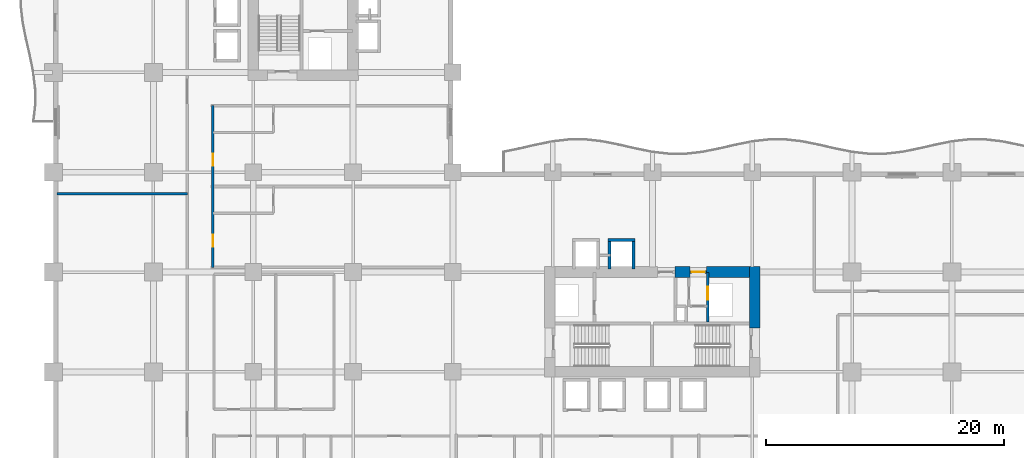
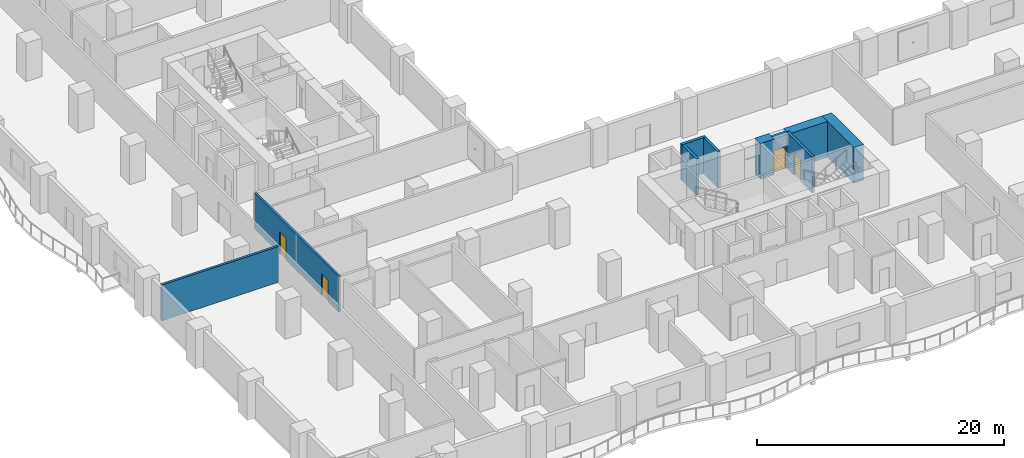
# One storey, part 7 of 20: 10 walls, 4 doors, 4 openings.
"""IFC4 building model written with IfcOpenShell, lengths in metres."""

from ifc_helpers import new_model, si_unit, direction, frame, frame_2d, origin, place, context, subcontext, project, spatial, rectangle, extrude, material, layer, layer_set, type_object, element, fill, save


model = new_model("IFC4")

# Units and contexts
model_context = context("Model", 3, precision=1e-05, world=origin(), true_north=direction((0.0, 1.0)))
body_context = subcontext(model_context, "Body", "Model", "MODEL_VIEW")
ifc_project = project(units=[si_unit("LENGTHUNIT", "METRE"), si_unit("AREAUNIT", "SQUARE_METRE"), si_unit("VOLUMEUNIT", "CUBIC_METRE"), si_unit("PLANEANGLEUNIT", "RADIAN"), si_unit("MASSUNIT", "GRAM", prefix="KILO")], contexts=[model_context])

# Site, building, storey
site_placement = place(None, origin())
site = spatial("IfcSite", under=ifc_project, at=site_placement, CompositionType="ELEMENT")
building_placement = place(site_placement, origin())
building = spatial("IfcBuilding", under=site, at=building_placement, Name="Koriwani Terraces Tower", CompositionType="ELEMENT")
storey_placement = place(building_placement, frame((0.0, 0.0, 58.60009765625)))
storey = spatial("IfcBuildingStorey", under=building, at=storey_placement, Name="L13", CompositionType="ELEMENT", Elevation=58.60009765625)

# Walls
ifc_material_1 = material(Name="Concrete C60/75", Category="concrete")
ifc_layer_1 = layer(ifc_material_1, 0.89990234375, Name="Concrete C60/75")
ifc_layer_set_1 = layer_set([ifc_layer_1], Name="Concrete C60/75")
wall_type_1 = type_object("IfcWallType", Name="WALL_CORE_RC_900", PredefinedType="SHEAR", material=ifc_layer_set_1)
wall_1_placement = place(storey_placement, frame((59.0, 20.5, 0.0), z_axis=(0.0, 0.0, 1.0), x_axis=(0.0, 1.0, 0.0)))
element("IfcWall", 1, at=wall_1_placement, inside=storey, type_object=wall_type_1, Name="L13 East Split Core Shear Wall E2", PredefinedType="SHEAR", context=body_context, shape_type="SweptSolid", body=[
    extrude(rectangle(XDim=5.14990234375, YDim=0.89990234375, at=frame_2d((2.574951171875, 0.0))), origin(), (0.0, 0.0, 1.0), 3.5498046875),
])
wall_2_placement = place(storey_placement, frame((52.280029296875, 25.199951171875, 0.0), z_axis=(0.0, 0.0, 1.0), x_axis=(1.0, 0.0, 0.0)))
element("IfcWall", 2, at=wall_2_placement, inside=storey, type_object=wall_type_1, Name="L13 East Split Core Shear Wall N2", PredefinedType="SHEAR", context=body_context, shape_type="SweptSolid", body=[
    extrude(rectangle(XDim=1.27001953125, YDim=0.89990234375, at=frame_2d((0.635009765625, 0.0))), origin(), (0.0, 0.0, 1.0), 3.5498046875),
])
wall_3_placement = place(storey_placement, frame((54.949951171875, 25.199951171875, 0.0), z_axis=(0.0, 0.0, 1.0), x_axis=(1.0, 0.0, 0.0)))
element("IfcWall", 3, at=wall_3_placement, inside=storey, type_object=wall_type_1, Name="L13 East Split Core Shear Wall N3", PredefinedType="SHEAR", context=body_context, shape_type="SweptSolid", body=[
    extrude(rectangle(XDim=3.60009765625, YDim=0.89990234375, at=frame_2d((1.800048828125, 0.0))), origin(), (0.0, 0.0, 1.0), 3.5498046875),
])

# Wall, openings, doors
ifc_material_2 = material(Name="Autoclaved Cellular Concrete Blockwork", Category="masonry")
ifc_layer_2 = layer(ifc_material_2, 0.199951171875, Name="Autoclaved Cellular Concrete Blockwork")
ifc_layer_set_2 = layer_set([ifc_layer_2], Name="Autoclaved Cellular Concrete Blockwork")
wall_type_2 = type_object("IfcWallType", Name="WALL_CORRIDOR_200", PredefinedType="PARTITIONING", material=ifc_layer_set_2)
wall_4_placement = place(storey_placement, frame((13.39990234375, 25.60009765625, 0.0), z_axis=(0.0, 0.0, 1.0), x_axis=(0.0, 1.0, 0.0)))
wall_4 = element("IfcWall", 4, at=wall_4_placement, inside=storey, type_object=wall_type_2, Name="L13 Interior Wall WCOR-L13-NWI-0", PredefinedType="PARTITIONING", context=body_context, shape_type="SweptSolid", body=[
    extrude(rectangle(XDim=13.599853515625, YDim=0.199951171875, at=frame_2d((6.7998046875, 0.0))), origin(), (0.0, 0.0, 1.0), 3.5498046875),
])
opening_1_placement = place(wall_4_placement, frame((1.735107421875, 0.0, 0.0)))
opening_1 = element("IfcOpeningElement", 5, at=opening_1_placement, cuts=wall_4, Name="Opening D-05", PredefinedType="OPENING", context=body_context, shape_type="SweptSolid", body=[
    extrude(rectangle(XDim=1.0, YDim=2.14990234375, at=frame_2d((0.5, 1.074951171875))), frame((0.0, 0.10986328125, 0.0), z_axis=(0.0, -1.0, 0.0), x_axis=(1.0, 0.0, 0.0)), (0.0, 0.0, 1.0), 0.219970703125),
])
opening_2_placement = place(wall_4_placement, frame((8.534912109375, 0.0, 0.0)))
opening_2 = element("IfcOpeningElement", 6, at=opening_2_placement, cuts=wall_4, Name="Opening D-05", PredefinedType="OPENING", context=body_context, shape_type="SweptSolid", body=[
    extrude(rectangle(XDim=1.0, YDim=2.14990234375, at=frame_2d((0.5, 1.074951171875))), frame((0.0, 0.10986328125, 0.0), z_axis=(0.0, -1.0, 0.0), x_axis=(1.0, 0.0, 0.0)), (0.0, 0.0, 1.0), 0.219970703125),
])
ifc_material_3 = material(Name="Architectural Oak Fire Door", Category="wood")
door_type_1 = type_object("IfcDoorType", Name="DOOR_SUITE_ENTRY_1000X2150", OperationType="NOTDEFINED", PredefinedType="DOOR", material=ifc_material_3)
door_1_placement = place(opening_1_placement, origin())
door_1 = element("IfcDoor", 7, at=door_1_placement, inside=storey, type_object=door_type_1, Name="Luxury Hotel Suite 13NWI1 Entrance Door", OperationType="SINGLE_SWING_LEFT", OverallHeight=2.14990234375, OverallWidth=1.0, PredefinedType="DOOR", context=body_context, shape_type="SweptSolid", body=[
    extrude(rectangle(XDim=1.0, YDim=2.14990234375, at=frame_2d((0.5, 1.074951171875))), frame((0.0, 0.02490234375, 0.0), z_axis=(0.0, -1.0, 0.0), x_axis=(1.0, 0.0, 0.0)), (0.0, 0.0, 1.0), 0.050048828125),
])
fill(opening_1, door_1)
door_2_placement = place(opening_2_placement, origin())
door_2 = element("IfcDoor", 8, at=door_2_placement, inside=storey, type_object=door_type_1, Name="Luxury Hotel Suite 13NWI2 Entrance Door", OperationType="SINGLE_SWING_LEFT", OverallHeight=2.14990234375, OverallWidth=1.0, PredefinedType="DOOR", context=body_context, shape_type="SweptSolid", body=[
    extrude(rectangle(XDim=1.0, YDim=2.14990234375, at=frame_2d((0.5, 1.074951171875))), frame((0.0, 0.02490234375, 0.0), z_axis=(0.0, -1.0, 0.0), x_axis=(1.0, 0.0, 0.0)), (0.0, 0.0, 1.0), 0.050048828125),
])
fill(opening_2, door_2)

# Wall
ifc_layer_3 = layer(ifc_material_2, 0.219970703125, Name="Autoclaved Cellular Concrete Blockwork")
ifc_layer_set_3 = layer_set([ifc_layer_3], Name="Autoclaved Cellular Concrete Blockwork")
wall_type_3 = type_object("IfcWallType", Name="WALL_DEMISING_220", PredefinedType="PARTITIONING", material=ifc_layer_set_3)
wall_5_placement = place(storey_placement, frame((0.300048828125, 31.800048828125, 0.0), z_axis=(0.0, 0.0, 1.0), x_axis=(1.0, 0.0, 0.0)))
element("IfcWall", 9, at=wall_5_placement, inside=storey, type_object=wall_type_3, Name="L13 Interior Wall WZ1NWCLM-L13", PredefinedType="PARTITIONING", context=body_context, shape_type="SweptSolid", body=[
    extrude(rectangle(XDim=10.949951171875, YDim=0.219970703125, at=frame_2d((5.47509765625, 0.0))), origin(), (0.0, 0.0, 1.0), 3.5498046875),
])

# Wall, opening, door
ifc_material_4 = material(Name="Concrete C40/50", Category="concrete")
ifc_layer_4 = layer(ifc_material_4, 0.25, Name="Concrete C40/50")
ifc_layer_set_4 = layer_set([ifc_layer_4], Name="Concrete C40/50")
wall_type_4 = type_object("IfcWallType", Name="WALL_SHAFT_RATED_250", PredefinedType="SOLIDWALL", material=ifc_layer_set_4)
wall_6_placement = place(storey_placement, frame((55.050048828125, 21.0, 0.0), z_axis=(0.0, 0.0, 1.0), x_axis=(0.0, 1.0, 0.0)))
wall_6 = element("IfcWall", 10, at=wall_6_placement, inside=storey, type_object=wall_type_4, Name="L13 Interior Wall WIN-CE-L13-SE", PredefinedType="SOLIDWALL", context=body_context, shape_type="SweptSolid", body=[
    extrude(rectangle(XDim=4.14990234375, YDim=0.25, at=frame_2d((2.074951171875, 0.0))), origin(), (0.0, 0.0, 1.0), 3.5498046875),
])
opening_3_placement = place(wall_6_placement, frame((1.85009765625, 0.0, 0.0)))
opening_3 = element("IfcOpeningElement", 11, at=opening_3_placement, cuts=wall_6, Name="Opening LD-01", PredefinedType="OPENING", context=body_context, shape_type="SweptSolid", body=[
    extrude(rectangle(XDim=1.10009765625, YDim=2.14990234375, at=frame_2d((0.550048828125, 1.074951171875))), frame((0.0, 0.135009765625, 0.0), z_axis=(0.0, -1.0, 0.0), x_axis=(1.0, 0.0, 0.0)), (0.0, 0.0, 1.0), 0.27001953125),
])
ifc_material_5 = material(Name="Steel ASTM A572 Grade 50", Category="steel")
door_type_2 = type_object("IfcDoorType", Name="DOOR_LIFT_LANDING_1100X2200", OperationType="NOTDEFINED", PredefinedType="DOOR", material=ifc_material_5)
door_3_placement = place(opening_3_placement, origin())
door_3 = element("IfcDoor", 12, at=door_3_placement, inside=storey, type_object=door_type_2, Name="L13 Goods Lift SE-02 Landing Door", OperationType="SLIDING_TO_LEFT", OverallHeight=2.14990234375, OverallWidth=1.10009765625, PredefinedType="DOOR", context=body_context, shape_type="SweptSolid", body=[
    extrude(rectangle(XDim=1.10009765625, YDim=2.14990234375, at=frame_2d((0.550048828125, 1.074951171875))), frame((0.0, 0.02490234375, 0.0), z_axis=(0.0, -1.0, 0.0), x_axis=(1.0, 0.0, 0.0)), (0.0, 0.0, 1.0), 0.050048828125),
])
fill(opening_3, door_3)

wall_7_placement = place(storey_placement, frame((53.550048828125, 25.199951171875, 0.0), z_axis=(0.0, 0.0, 1.0), x_axis=(1.0, 0.0, 0.0)))
wall_7 = element("IfcWall", 13, at=wall_7_placement, inside=storey, type_object=wall_type_4, Name="L13 Interior Wall WIN-CE-L13-NP2", PredefinedType="SOLIDWALL", context=body_context, shape_type="SweptSolid", body=[
    extrude(rectangle(XDim=1.39990234375, YDim=0.25, at=frame_2d((0.699951171875, 0.0))), origin(), (0.0, 0.0, 1.0), 3.5498046875),
])
opening_4_placement = place(wall_7_placement, frame((0.14990234375, 0.0, 0.0)))
opening_4 = element("IfcOpeningElement", 14, at=opening_4_placement, cuts=wall_7, Name="Opening D-03", PredefinedType="OPENING", context=body_context, shape_type="SweptSolid", body=[
    extrude(rectangle(XDim=1.10009765625, YDim=2.14990234375, at=frame_2d((0.550048828125, 1.074951171875))), frame((0.0, 0.135009765625, 0.0), z_axis=(0.0, -1.0, 0.0), x_axis=(1.0, 0.0, 0.0)), (0.0, 0.0, 1.0), 0.27001953125),
])
door_type_3 = type_object("IfcDoorType", Name="DOOR_STAIR_FIRE_1100X2150", OperationType="NOTDEFINED", PredefinedType="DOOR", material=ifc_material_5)
door_4_placement = place(opening_4_placement, origin())
door_4 = element("IfcDoor", 15, at=door_4_placement, inside=storey, type_object=door_type_3, Name="L13 East Goods Lift Lobby Door", OperationType="SINGLE_SWING_RIGHT", OverallHeight=2.14990234375, OverallWidth=1.10009765625, PredefinedType="DOOR", context=body_context, shape_type="SweptSolid", body=[
    extrude(rectangle(XDim=1.10009765625, YDim=2.14990234375, at=frame_2d((0.550048828125, 1.074951171875))), frame((0.0, 0.02490234375, 0.0), z_axis=(0.0, -1.0, 0.0), x_axis=(1.0, 0.0, 0.0)), (0.0, 0.0, 1.0), 0.050048828125),
])
fill(opening_4, door_4)

# Walls
wall_8_placement = place(storey_placement, frame((46.675048828125, 27.89990234375, 0.0), z_axis=(0.0, 0.0, 1.0), x_axis=(1.0, 0.0, 0.0)))
element("IfcWall", 16, at=wall_8_placement, inside=storey, type_object=wall_type_4, Name="L13 Interior Wall WIN-LF-PE-H4-L13-F", PredefinedType="SOLIDWALL", context=body_context, shape_type="SweptSolid", body=[
    extrude(rectangle(XDim=2.25, YDim=0.25, at=frame_2d((1.125, 0.0))), origin(), (0.0, 0.0, 1.0), 3.5498046875),
])
for number, where, z_axis, x_axis, name in (
    (17, (46.800048828125, 25.449951171875, 0.0), (0.0, 0.0, 1.0), (0.0, 1.0, 0.0), "L13 Interior Wall WIN-LF-PE-H4-L13-W"),
    (18, (48.800048828125, 25.449951171875, 0.0), (0.0, 0.0, 1.0), (0.0, 1.0, 0.0), "L13 Interior Wall WIN-LF-PE-H4-L13-E"),
):
    element("IfcWall", number, at=place(storey_placement, frame(where, z_axis=z_axis, x_axis=x_axis)), inside=storey, type_object=wall_type_4, Name=name, PredefinedType="SOLIDWALL", context=body_context, shape_type="SweptSolid", body=[
        extrude(rectangle(XDim=2.324951171875, YDim=0.25, at=frame_2d((1.16259765625, 0.0))), origin(), (0.0, 0.0, 1.0), 3.5498046875),
    ])

save(model, "model.ifc")
